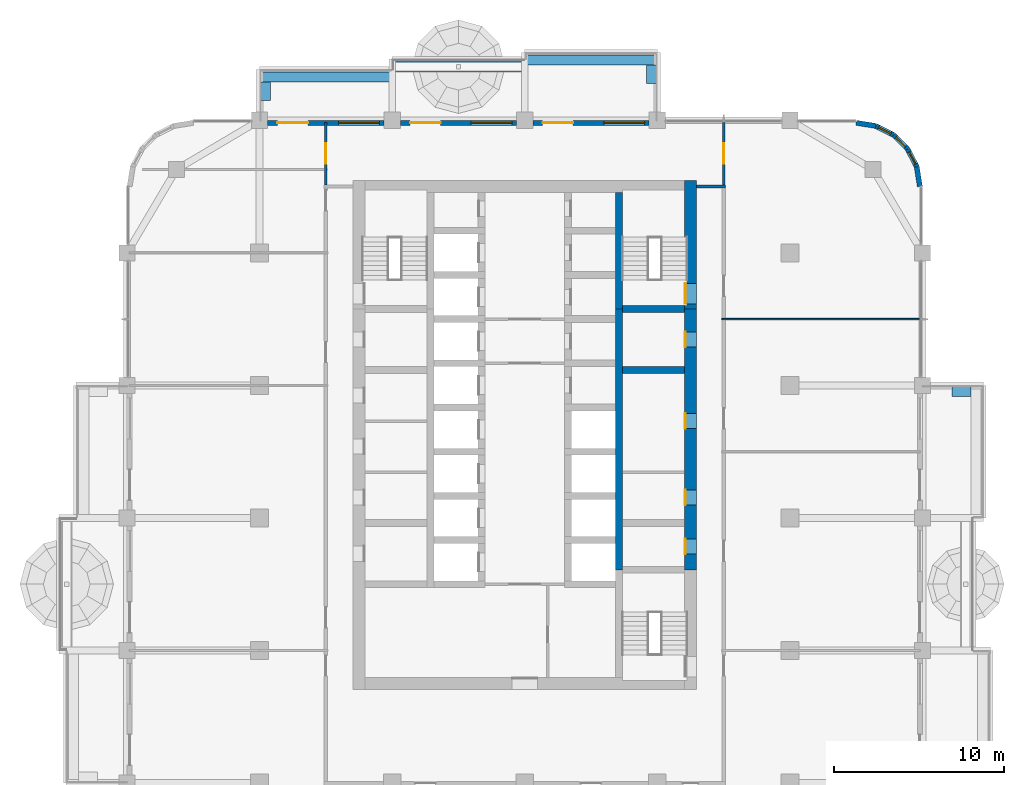
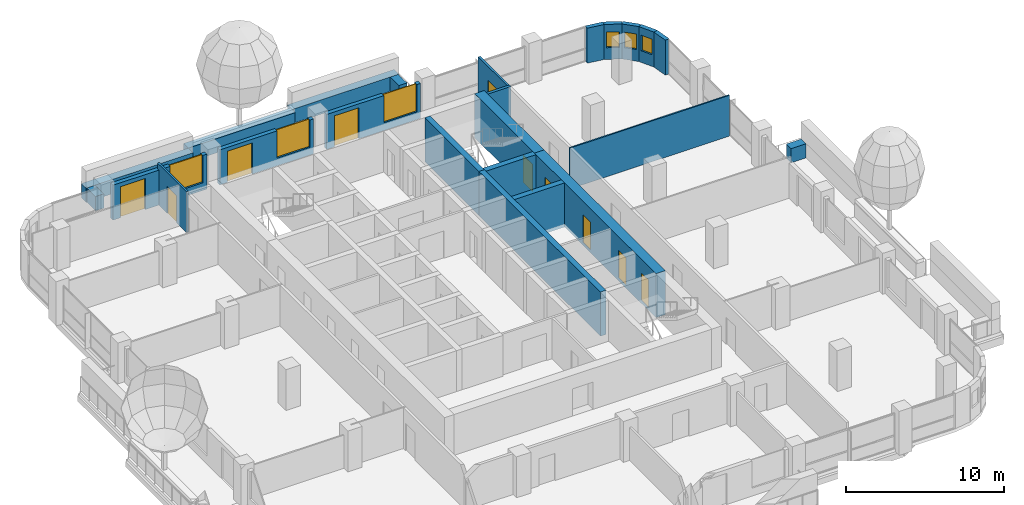
# One storey, part 14 of 21: 24 walls, 10 doors, 6 windows, 16 openings.
"""IFC4 building model written with IfcOpenShell, lengths in metres."""

from ifc_helpers import new_model, si_unit, direction, frame, frame_2d, origin, place, context, subcontext, project, spatial, rectangle, extrude, material, layer, layer_set, type_object, element, fill, save


model = new_model("IFC4")

# Units and contexts
model_context = context("Model", 3, precision=1e-05, world=origin(), true_north=direction((0.0, 1.0)))
body_context = subcontext(model_context, "Body", "Model", "MODEL_VIEW")
ifc_project = project(units=[si_unit("LENGTHUNIT", "METRE"), si_unit("AREAUNIT", "SQUARE_METRE"), si_unit("VOLUMEUNIT", "CUBIC_METRE"), si_unit("PLANEANGLEUNIT", "RADIAN"), si_unit("MASSUNIT", "GRAM", prefix="KILO")], contexts=[model_context])

# Site, building, storey
site_placement = place(None, origin())
site = spatial("IfcSite", under=ifc_project, at=site_placement, CompositionType="ELEMENT")
building_placement = place(site_placement, origin())
building = spatial("IfcBuilding", under=site, at=building_placement, Name="Ludao Terraces", CompositionType="ELEMENT")
storey_placement = place(building_placement, frame((0.0, 0.0, 71.60009765625)))
storey = spatial("IfcBuildingStorey", under=building, at=storey_placement, Name="L19", CompositionType="ELEMENT", Elevation=71.60009765625)

# Wall, openings, doors
ifc_material_1 = material(Name="Concrete C70", Category="concrete")
ifc_layer_1 = layer(ifc_material_1, 0.699951171875)
ifc_layer_set_1 = layer_set([ifc_layer_1], Name="Core wall 700 C70")
wall_type_1 = type_object("IfcWallType", Name="Core wall 700 C70", PredefinedType="SOLIDWALL", material=ifc_layer_set_1)
wall_1_placement = place(storey_placement, frame((94.75, 61.949951171875, -0.25), z_axis=(0.0, 0.0, 1.0), x_axis=(0.0, 1.0, 0.0)))
wall_1 = element("IfcWall", 1, at=wall_1_placement, inside=storey, type_object=wall_type_1, Name="Core wall L19 outer-E", PredefinedType="SOLIDWALL", context=body_context, shape_type="SweptSolid", body=[
    extrude(rectangle(XDim=15.35009765625, YDim=0.699951171875, at=frame_2d((7.675048828125, 0.0))), origin(), (0.0, 0.0, 1.0), 3.39990234375),
])
opening_1_placement = place(wall_1_placement, frame((0.925048828125, 0.0, 0.25)))
opening_1 = element("IfcOpeningElement", 2, at=opening_1_placement, cuts=wall_1, Name="Opening C1-014", PredefinedType="OPENING", context=body_context, shape_type="SweptSolid", body=[
    extrude(rectangle(XDim=0.89990234375, YDim=2.10009765625, at=frame_2d((0.449951171875, 1.050048828125))), frame((0.0, 0.35986328125, 0.0), z_axis=(0.0, -1.0, 0.0), x_axis=(1.0, 0.0, 0.0)), (0.0, 0.0, 1.0), 0.719970703125),
])
opening_2_placement = place(wall_1_placement, frame((3.800048828125, 0.0, 0.25)))
opening_2 = element("IfcOpeningElement", 3, at=opening_2_placement, cuts=wall_1, Name="Opening C1-017", PredefinedType="OPENING", context=body_context, shape_type="SweptSolid", body=[
    extrude(rectangle(XDim=0.89990234375, YDim=2.10009765625, at=frame_2d((0.449951171875, 1.050048828125))), frame((0.0, 0.35986328125, 0.0), z_axis=(0.0, -1.0, 0.0), x_axis=(1.0, 0.0, 0.0)), (0.0, 0.0, 1.0), 0.719970703125),
])
opening_3_placement = place(wall_1_placement, frame((8.300048828125, 0.0, 0.25)))
opening_3 = element("IfcOpeningElement", 4, at=opening_3_placement, cuts=wall_1, Name="Opening C1-021", PredefinedType="OPENING", context=body_context, shape_type="SweptSolid", body=[
    extrude(rectangle(XDim=0.89990234375, YDim=2.10009765625, at=frame_2d((0.449951171875, 1.050048828125))), frame((0.0, 0.35986328125, 0.0), z_axis=(0.0, -1.0, 0.0), x_axis=(1.0, 0.0, 0.0)), (0.0, 0.0, 1.0), 0.719970703125),
])
opening_4_placement = place(wall_1_placement, frame((13.10009765625, 0.0, 0.25)))
opening_4 = element("IfcOpeningElement", 5, at=opening_4_placement, cuts=wall_1, Name="Opening C1-031", PredefinedType="OPENING", context=body_context, shape_type="SweptSolid", body=[
    extrude(rectangle(XDim=0.89990234375, YDim=2.10009765625, at=frame_2d((0.449951171875, 1.050048828125))), frame((0.0, 0.35986328125, 0.0), z_axis=(0.0, -1.0, 0.0), x_axis=(1.0, 0.0, 0.0)), (0.0, 0.0, 1.0), 0.719970703125),
])
ifc_material_2 = material(Name="Steel Q235", Category="steel")
door_type_1 = type_object("IfcDoorType", Name="INT Riser door 900", OperationType="SINGLE_SWING_LEFT", PredefinedType="DOOR", material=ifc_material_2)
door_1_placement = place(opening_1_placement, origin())
door_1 = element("IfcDoor", 6, at=door_1_placement, inside=storey, type_object=door_type_1, Name="DOOR 014", OperationType="SINGLE_SWING_RIGHT", OverallHeight=2.10009765625, OverallWidth=0.89990234375, PredefinedType="DOOR", context=body_context, shape_type="SweptSolid", body=[
    extrude(rectangle(XDim=0.89990234375, YDim=2.10009765625, at=frame_2d((0.449951171875, 1.050048828125))), frame((0.0, 0.3349609375, 0.0), z_axis=(0.0, -1.0, 0.0), x_axis=(1.0, 0.0, 0.0)), (0.0, 0.0, 1.0), 0.050048828125),
])
fill(opening_1, door_1)
door_2_placement = place(opening_4_placement, origin())
door_2 = element("IfcDoor", 7, at=door_2_placement, inside=storey, type_object=door_type_1, Name="DOOR 031", OperationType="SINGLE_SWING_LEFT", OverallHeight=2.10009765625, OverallWidth=0.89990234375, PredefinedType="DOOR", context=body_context, shape_type="SweptSolid", body=[
    extrude(rectangle(XDim=0.89990234375, YDim=2.10009765625, at=frame_2d((0.449951171875, 1.050048828125))), frame((0.0, 0.3349609375, 0.0), z_axis=(0.0, -1.0, 0.0), x_axis=(1.0, 0.0, 0.0)), (0.0, 0.0, 1.0), 0.050048828125),
])
fill(opening_4, door_2)
ifc_material_3 = material(Name="Timber door leaf", Category="wood")
door_type_2 = type_object("IfcDoorType", Name="INT Room door 900", OperationType="SINGLE_SWING_LEFT", PredefinedType="DOOR", material=ifc_material_3)
door_3_placement = place(opening_2_placement, origin())
door_3 = element("IfcDoor", 8, at=door_3_placement, inside=storey, type_object=door_type_2, Name="DOOR 017", OperationType="SINGLE_SWING_LEFT", OverallHeight=2.10009765625, OverallWidth=0.89990234375, PredefinedType="DOOR", context=body_context, shape_type="SweptSolid", body=[
    extrude(rectangle(XDim=0.89990234375, YDim=2.10009765625, at=frame_2d((0.449951171875, 1.050048828125))), frame((0.0, 0.3349609375, 0.0), z_axis=(0.0, -1.0, 0.0), x_axis=(1.0, 0.0, 0.0)), (0.0, 0.0, 1.0), 0.050048828125),
])
fill(opening_2, door_3)
door_4_placement = place(opening_3_placement, origin())
door_4 = element("IfcDoor", 9, at=door_4_placement, inside=storey, type_object=door_type_2, Name="DOOR 021", OperationType="SINGLE_SWING_RIGHT", OverallHeight=2.10009765625, OverallWidth=0.89990234375, PredefinedType="DOOR", context=body_context, shape_type="SweptSolid", body=[
    extrude(rectangle(XDim=0.89990234375, YDim=2.10009765625, at=frame_2d((0.449951171875, 1.050048828125))), frame((0.0, 0.3349609375, 0.0), z_axis=(0.0, -1.0, 0.0), x_axis=(1.0, 0.0, 0.0)), (0.0, 0.0, 1.0), 0.050048828125),
])
fill(opening_3, door_4)

# Wall, opening, door
wall_2_placement = place(storey_placement, frame((94.75, 77.300048828125, -0.25), z_axis=(0.0, 0.0, 1.0), x_axis=(0.0, 1.0, 0.0)))
wall_2 = element("IfcWall", 10, at=wall_2_placement, inside=storey, type_object=wall_type_1, Name="Core wall L19 outer-E-S2", PredefinedType="SOLIDWALL", context=body_context, shape_type="SweptSolid", body=[
    extrude(rectangle(XDim=7.550048828125, YDim=0.699951171875, at=frame_2d((3.77490234375, 0.0))), origin(), (0.0, 0.0, 1.0), 3.39990234375),
])
opening_5_placement = place(wall_2_placement, frame((0.300048828125, 0.0, 0.25)))
opening_5 = element("IfcOpeningElement", 11, at=opening_5_placement, cuts=wall_2, Name="Opening C1-036", PredefinedType="OPENING", context=body_context, shape_type="SweptSolid", body=[
    extrude(rectangle(XDim=1.199951171875, YDim=2.10009765625, at=frame_2d((0.60009765625, 1.050048828125))), frame((0.0, 0.35986328125, 0.0), z_axis=(0.0, -1.0, 0.0), x_axis=(1.0, 0.0, 0.0)), (0.0, 0.0, 1.0), 0.719970703125),
])
door_type_3 = type_object("IfcDoorType", Name="INT Stair door 1200", OperationType="DOUBLE_DOOR_SINGLE_SWING", PredefinedType="DOOR", material=ifc_material_2)
door_5_placement = place(opening_5_placement, origin())
door_5 = element("IfcDoor", 12, at=door_5_placement, inside=storey, type_object=door_type_3, Name="DOOR 036", OperationType="DOUBLE_DOOR_SINGLE_SWING", OverallHeight=2.10009765625, OverallWidth=1.199951171875, PredefinedType="DOOR", context=body_context, shape_type="SweptSolid", body=[
    extrude(rectangle(XDim=1.199951171875, YDim=2.10009765625, at=frame_2d((0.60009765625, 1.050048828125))), frame((0.0, 0.3349609375, 0.0), z_axis=(0.0, -1.0, 0.0), x_axis=(1.0, 0.0, 0.0)), (0.0, 0.0, 1.0), 0.050048828125),
])
fill(opening_5, door_5)

# Walls
ifc_material_4 = material(Name="Concrete C40", Category="concrete")
ifc_layer_2 = layer(ifc_material_4, 0.60009765625)
ifc_layer_set_2 = layer_set([ifc_layer_2], Name="ENV Planter trough 600")
wall_type_2 = type_object("IfcWallType", Name="ENV Planter trough 600", PredefinedType="USERDEFINED", material=ifc_layer_set_2)
wall_3_placement = place(storey_placement, frame((111.25, 72.449951171875, 0.0), z_axis=(0.0, 0.0, 1.0), x_axis=(-1.0, 0.0, 0.0)))
element("IfcWall", 13, at=wall_3_placement, inside=storey, type_object=wall_type_2, Name="PL-L19-E3-SB", ObjectType="PLANTER", PredefinedType="USERDEFINED", context=body_context, shape_type="SweptSolid", body=[
    extrude(rectangle(XDim=1.10009765625, YDim=0.60009765625, at=frame_2d((0.550048828125, 0.0))), origin(), (0.0, 0.0, 1.0), 1.099853515625),
])
wall_4_placement = place(storey_placement, frame((69.39990234375, 90.949951171875, 0.0), z_axis=(0.0, 0.0, 1.0), x_axis=(1.0, 0.0, 0.0)))
element("IfcWall", 14, at=wall_4_placement, inside=storey, type_object=wall_type_2, Name="PL-L19-N1", ObjectType="PLANTER", PredefinedType="USERDEFINED", context=body_context, shape_type="SweptSolid", body=[
    extrude(rectangle(XDim=7.800048828125, YDim=0.60009765625, at=frame_2d((3.89990234375, 0.0))), origin(), (0.0, 0.0, 1.0), 1.099853515625),
])
wall_5_placement = place(storey_placement, frame((69.75, 90.64990234375, 0.0), z_axis=(0.0, 0.0, 1.0), x_axis=(0.0, -1.0, 0.0)))
element("IfcWall", 15, at=wall_5_placement, inside=storey, type_object=wall_type_2, Name="PL-L19-N1-SA", ObjectType="PLANTER", PredefinedType="USERDEFINED", context=body_context, shape_type="SweptSolid", body=[
    extrude(rectangle(XDim=1.099853515625, YDim=0.60009765625, at=frame_2d((0.5498046875, 0.0))), origin(), (0.0, 0.0, 1.0), 1.099853515625),
])
for number, where, z_axis, x_axis, name in (
    (16, (77.199951171875, 91.550048828125, 0.0), (0.0, 0.0, 1.0), (1.0, 0.0, 0.0), "PL-L19-N2"),
    (17, (85.0, 91.949951171875, 0.0), (0.0, 0.0, 1.0), (1.0, 0.0, 0.0), "PL-L19-N3"),
):
    element("IfcWall", number, at=place(storey_placement, frame(where, z_axis=z_axis, x_axis=x_axis)), inside=storey, type_object=wall_type_2, Name=name, ObjectType="PLANTER", PredefinedType="USERDEFINED", context=body_context, shape_type="SweptSolid", body=[
        extrude(rectangle(XDim=7.800048828125, YDim=0.60009765625, at=frame_2d((3.89990234375, 0.0))), origin(), (0.0, 0.0, 1.0), 1.099853515625),
    ])
wall_6_placement = place(storey_placement, frame((92.449951171875, 91.64990234375, 0.0), z_axis=(0.0, 0.0, 1.0), x_axis=(0.0, -1.0, 0.0)))
element("IfcWall", 18, at=wall_6_placement, inside=storey, type_object=wall_type_2, Name="PL-L19-N3-SB", ObjectType="PLANTER", PredefinedType="USERDEFINED", context=body_context, shape_type="SweptSolid", body=[
    extrude(rectangle(XDim=1.099853515625, YDim=0.60009765625, at=frame_2d((0.5498046875, 0.0))), origin(), (0.0, 0.0, 1.0), 1.099853515625),
])

# Wall, openings, door, window
ifc_material_5 = material(Name="Granite cladding", Category="masonry")
ifc_layer_3 = layer(ifc_material_5, 0.0400390625, Category="stone")
ifc_material_6 = material(Name="Mineral wool")
ifc_layer_4 = layer(ifc_material_6, 0.06005859375)
ifc_layer_5 = layer(ifc_material_4, 0.199951171875, Category="concrete")
ifc_layer_set_3 = layer_set([ifc_layer_3, ifc_layer_4, ifc_layer_5], Name="ENV Stone-clad wall 300")
wall_type_3 = type_object("IfcWallType", Name="ENV Stone-clad wall 300", PredefinedType="SOLIDWALL", material=ifc_layer_set_3)
wall_7_placement = place(storey_placement, frame((69.875, 88.25, 0.0), z_axis=(0.0, 0.0, 1.0), x_axis=(1.0, 0.0, 0.0)))
wall_7 = element("IfcWall", 19, at=wall_7_placement, inside=storey, type_object=wall_type_3, Name="EW-L19-N2", PredefinedType="SOLIDWALL", context=body_context, shape_type="SweptSolid", body=[
    extrude(rectangle(XDim=6.85009765625, YDim=0.300048828125, at=frame_2d((3.425048828125, 0.0))), origin(), (0.0, 0.0, 1.0), 2.699951171875),
])
opening_6_placement = place(wall_7_placement, frame((0.574951171875, 0.0, 0.0)))
opening_6 = element("IfcOpeningElement", 20, at=opening_6_placement, cuts=wall_7, Name="Opening BD", PredefinedType="OPENING", context=body_context, shape_type="SweptSolid", body=[
    extrude(rectangle(XDim=1.800048828125, YDim=2.39990234375, at=frame_2d((0.89990234375, 1.199951171875))), frame((0.0, 0.16015625, 0.0), z_axis=(0.0, -1.0, 0.0), x_axis=(1.0, 0.0, 0.0)), (0.0, 0.0, 1.0), 0.320068359375),
])
opening_7_placement = place(wall_7_placement, frame((4.175048828125, 0.0, 0.60009765625)))
opening_7 = element("IfcOpeningElement", 21, at=opening_7_placement, cuts=wall_7, Name="Opening W4", PredefinedType="OPENING", context=body_context, shape_type="SweptSolid", body=[
    extrude(rectangle(XDim=2.39990234375, YDim=2.10009765625, at=frame_2d((1.199951171875, 1.050048828125))), frame((0.0, 0.16015625, 0.0), z_axis=(0.0, -1.0, 0.0), x_axis=(1.0, 0.0, 0.0)), (0.0, 0.0, 1.0), 0.320068359375),
])
ifc_material_7 = material(Name="Aluminium glazed door", Category="aluminium")
ifc_layer_6 = layer(ifc_material_7, 0.06005859375)
ifc_layer_set_4 = layer_set([ifc_layer_6], Name="ENV Balcony door BD 1800x2400")
door_type_4 = type_object("IfcDoorType", Name="ENV Balcony door BD 1800x2400", OperationType="DOUBLE_DOOR_SINGLE_SWING", PredefinedType="DOOR", material=ifc_layer_set_4)
door_6_placement = place(opening_6_placement, origin())
door_6 = element("IfcDoor", 22, at=door_6_placement, inside=storey, type_object=door_type_4, Name="BD-L19-N2-1", OperationType="DOUBLE_DOOR_SINGLE_SWING", OverallHeight=2.39990234375, OverallWidth=1.800048828125, PredefinedType="DOOR", context=body_context, shape_type="SweptSolid", body=[
    extrude(rectangle(XDim=1.800048828125, YDim=2.39990234375, at=frame_2d((0.89990234375, 1.199951171875))), frame((0.0, 0.02490234375, 0.0), z_axis=(0.0, -1.0, 0.0), x_axis=(1.0, 0.0, 0.0)), (0.0, 0.0, 1.0), 0.050048828125),
])
fill(opening_6, door_6)
ifc_material_8 = material(Name="Clear glass in aluminium frame", Category="aluminium")
ifc_layer_7 = layer(ifc_material_8, 0.06005859375)
ifc_layer_set_5 = layer_set([ifc_layer_7], Name="ENV Window W4 2400x2100")
window_type_1 = type_object("IfcWindowType", Name="ENV Window W4 2400x2100", PartitioningType="SINGLE_PANEL", PredefinedType="WINDOW", material=ifc_layer_set_5)
window_1_placement = place(opening_7_placement, origin())
window_1 = element("IfcWindow", 23, at=window_1_placement, inside=storey, type_object=window_type_1, Name="W-L19-N2-2", OverallHeight=2.10009765625, OverallWidth=2.39990234375, PartitioningType="SINGLE_PANEL", PredefinedType="WINDOW", context=body_context, shape_type="SweptSolid", body=[
    extrude(rectangle(XDim=2.39990234375, YDim=2.10009765625, at=frame_2d((1.199951171875, 1.050048828125))), frame((0.0, 0.030029296875, 0.0), z_axis=(0.0, -1.0, 0.0), x_axis=(1.0, 0.0, 0.0)), (0.0, 0.0, 1.0), 0.06005859375),
])
fill(opening_7, window_1)

wall_8_placement = place(storey_placement, frame((77.675048828125, 88.25, 0.0), z_axis=(0.0, 0.0, 1.0), x_axis=(1.0, 0.0, 0.0)))
wall_8 = element("IfcWall", 24, at=wall_8_placement, inside=storey, type_object=wall_type_3, Name="EW-L19-N3", PredefinedType="SOLIDWALL", context=body_context, shape_type="SweptSolid", body=[
    extrude(rectangle(XDim=6.849853515625, YDim=0.300048828125, at=frame_2d((3.4248046875, 0.0))), origin(), (0.0, 0.0, 1.0), 2.699951171875),
])
opening_8_placement = place(wall_8_placement, frame((0.574951171875, 0.0, 0.0)))
opening_8 = element("IfcOpeningElement", 25, at=opening_8_placement, cuts=wall_8, Name="Opening BD", PredefinedType="OPENING", context=body_context, shape_type="SweptSolid", body=[
    extrude(rectangle(XDim=1.800048828125, YDim=2.39990234375, at=frame_2d((0.89990234375, 1.199951171875))), frame((0.0, 0.16015625, 0.0), z_axis=(0.0, -1.0, 0.0), x_axis=(1.0, 0.0, 0.0)), (0.0, 0.0, 1.0), 0.320068359375),
])
opening_9_placement = place(wall_8_placement, frame((4.175048828125, 0.0, 0.60009765625)))
opening_9 = element("IfcOpeningElement", 26, at=opening_9_placement, cuts=wall_8, Name="Opening W4", PredefinedType="OPENING", context=body_context, shape_type="SweptSolid", body=[
    extrude(rectangle(XDim=2.39990234375, YDim=2.10009765625, at=frame_2d((1.199951171875, 1.050048828125))), frame((0.0, 0.16015625, 0.0), z_axis=(0.0, -1.0, 0.0), x_axis=(1.0, 0.0, 0.0)), (0.0, 0.0, 1.0), 0.320068359375),
])
door_7_placement = place(opening_8_placement, origin())
door_7 = element("IfcDoor", 27, at=door_7_placement, inside=storey, type_object=door_type_4, Name="BD-L19-N3-1", OperationType="DOUBLE_DOOR_SINGLE_SWING", OverallHeight=2.39990234375, OverallWidth=1.800048828125, PredefinedType="DOOR", context=body_context, shape_type="SweptSolid", body=[
    extrude(rectangle(XDim=1.800048828125, YDim=2.39990234375, at=frame_2d((0.89990234375, 1.199951171875))), frame((0.0, 0.02490234375, 0.0), z_axis=(0.0, -1.0, 0.0), x_axis=(1.0, 0.0, 0.0)), (0.0, 0.0, 1.0), 0.050048828125),
])
fill(opening_8, door_7)
window_2_placement = place(opening_9_placement, origin())
window_2 = element("IfcWindow", 28, at=window_2_placement, inside=storey, type_object=window_type_1, Name="W-L19-N3-2", OverallHeight=2.10009765625, OverallWidth=2.39990234375, PartitioningType="SINGLE_PANEL", PredefinedType="WINDOW", context=body_context, shape_type="SweptSolid", body=[
    extrude(rectangle(XDim=2.39990234375, YDim=2.10009765625, at=frame_2d((1.199951171875, 1.050048828125))), frame((0.0, 0.030029296875, 0.0), z_axis=(0.0, -1.0, 0.0), x_axis=(1.0, 0.0, 0.0)), (0.0, 0.0, 1.0), 0.06005859375),
])
fill(opening_9, window_2)

wall_9_placement = place(storey_placement, frame((85.47509765625, 88.25, 0.0), z_axis=(0.0, 0.0, 1.0), x_axis=(1.0, 0.0, 0.0)))
wall_9 = element("IfcWall", 29, at=wall_9_placement, inside=storey, type_object=wall_type_3, Name="EW-L19-N4", PredefinedType="SOLIDWALL", context=body_context, shape_type="SweptSolid", body=[
    extrude(rectangle(XDim=6.849853515625, YDim=0.300048828125, at=frame_2d((3.4248046875, 0.0))), origin(), (0.0, 0.0, 1.0), 2.699951171875),
])
opening_10_placement = place(wall_9_placement, frame((0.574951171875, 0.0, 0.0)))
opening_10 = element("IfcOpeningElement", 30, at=opening_10_placement, cuts=wall_9, Name="Opening BD", PredefinedType="OPENING", context=body_context, shape_type="SweptSolid", body=[
    extrude(rectangle(XDim=1.800048828125, YDim=2.39990234375, at=frame_2d((0.89990234375, 1.199951171875))), frame((0.0, 0.16015625, 0.0), z_axis=(0.0, -1.0, 0.0), x_axis=(1.0, 0.0, 0.0)), (0.0, 0.0, 1.0), 0.320068359375),
])
opening_11_placement = place(wall_9_placement, frame((4.175048828125, 0.0, 0.60009765625)))
opening_11 = element("IfcOpeningElement", 31, at=opening_11_placement, cuts=wall_9, Name="Opening W4", PredefinedType="OPENING", context=body_context, shape_type="SweptSolid", body=[
    extrude(rectangle(XDim=2.39990234375, YDim=2.10009765625, at=frame_2d((1.199951171875, 1.050048828125))), frame((0.0, 0.16015625, 0.0), z_axis=(0.0, -1.0, 0.0), x_axis=(1.0, 0.0, 0.0)), (0.0, 0.0, 1.0), 0.320068359375),
])
door_8_placement = place(opening_10_placement, origin())
door_8 = element("IfcDoor", 32, at=door_8_placement, inside=storey, type_object=door_type_4, Name="BD-L19-N4-1", OperationType="DOUBLE_DOOR_SINGLE_SWING", OverallHeight=2.39990234375, OverallWidth=1.800048828125, PredefinedType="DOOR", context=body_context, shape_type="SweptSolid", body=[
    extrude(rectangle(XDim=1.800048828125, YDim=2.39990234375, at=frame_2d((0.89990234375, 1.199951171875))), frame((0.0, 0.02490234375, 0.0), z_axis=(0.0, -1.0, 0.0), x_axis=(1.0, 0.0, 0.0)), (0.0, 0.0, 1.0), 0.050048828125),
])
fill(opening_10, door_8)
window_3_placement = place(opening_11_placement, origin())
window_3 = element("IfcWindow", 33, at=window_3_placement, inside=storey, type_object=window_type_1, Name="W-L19-N4-2", OverallHeight=2.10009765625, OverallWidth=2.39990234375, PartitioningType="SINGLE_PANEL", PredefinedType="WINDOW", context=body_context, shape_type="SweptSolid", body=[
    extrude(rectangle(XDim=2.39990234375, YDim=2.10009765625, at=frame_2d((1.199951171875, 1.050048828125))), frame((0.0, 0.030029296875, 0.0), z_axis=(0.0, -1.0, 0.0), x_axis=(1.0, 0.0, 0.0)), (0.0, 0.0, 1.0), 0.06005859375),
])
fill(opening_11, window_3)

# Wall
wall_10_placement = place(storey_placement, frame((108.25, 84.5, 0.0), z_axis=(0.0, 0.0, 1.0), x_axis=(-0.156496880861, 0.987678452879, 0.0)))
element("IfcWall", 34, at=wall_10_placement, inside=storey, type_object=wall_type_3, Name="EW-L19-NE1", PredefinedType="SOLIDWALL", context=body_context, shape_type="SweptSolid", body=[
    extrude(rectangle(XDim=1.173095703125, YDim=0.300048828125, at=frame_2d((0.58642578125, 0.0))), origin(), (0.0, 0.0, 1.0), 2.699951171875),
])

# Wall, opening, window
wall_11_placement = place(storey_placement, frame((108.06640625, 85.65869140625, 0.0), z_axis=(0.0, 0.0, 1.0), x_axis=(-0.454025524128, 0.890988677504, 0.0)))
wall_11 = element("IfcWall", 35, at=wall_11_placement, inside=storey, type_object=wall_type_3, Name="EW-L19-NE2", PredefinedType="SOLIDWALL", context=body_context, shape_type="SweptSolid", body=[
    extrude(rectangle(XDim=1.17333984375, YDim=0.300048828125, at=frame_2d((0.586669921875, 0.0))), origin(), (0.0, 0.0, 1.0), 2.699951171875),
])
opening_12_placement = place(wall_11_placement, frame((0.1865234375, 0.0, 0.89990234375)))
opening_12 = element("IfcOpeningElement", 36, at=opening_12_placement, cuts=wall_11, Name="Opening W3", PredefinedType="OPENING", context=body_context, shape_type="SweptSolid", body=[
    extrude(rectangle(XDim=0.800048828125, YDim=1.199951171875, at=frame_2d((0.39990234375, 0.60009765625))), frame((0.0, 0.16015625, 0.0), z_axis=(0.0, -1.0, 0.0), x_axis=(1.0, 0.0, 0.0)), (0.0, 0.0, 1.0), 0.320068359375),
])
ifc_layer_8 = layer(ifc_material_8, 0.06005859375)
ifc_layer_set_6 = layer_set([ifc_layer_8], Name="ENV Window W3 800x1200")
window_type_2 = type_object("IfcWindowType", Name="ENV Window W3 800x1200", PartitioningType="SINGLE_PANEL", PredefinedType="WINDOW", material=ifc_layer_set_6)
window_4_placement = place(opening_12_placement, origin())
window_4 = element("IfcWindow", 37, at=window_4_placement, inside=storey, type_object=window_type_2, Name="W-L19-NE2", OverallHeight=1.199951171875, OverallWidth=0.800048828125, PartitioningType="SINGLE_PANEL", PredefinedType="WINDOW", context=body_context, shape_type="SweptSolid", body=[
    extrude(rectangle(XDim=0.800048828125, YDim=1.199951171875, at=frame_2d((0.39990234375, 0.60009765625))), frame((0.0, 0.030029296875, 0.0), z_axis=(0.0, -1.0, 0.0), x_axis=(1.0, 0.0, 0.0)), (0.0, 0.0, 1.0), 0.06005859375),
])
fill(opening_12, window_4)

wall_12_placement = place(storey_placement, frame((107.53369140625, 86.7041015625, 0.0), z_axis=(0.0, 0.0, 1.0), x_axis=(-0.707106781187, 0.707106781187, 0.0)))
wall_12 = element("IfcWall", 38, at=wall_12_placement, inside=storey, type_object=wall_type_3, Name="EW-L19-NE3", PredefinedType="SOLIDWALL", context=body_context, shape_type="SweptSolid", body=[
    extrude(rectangle(XDim=1.173095703125, YDim=0.300048828125, at=frame_2d((0.58642578125, 0.0))), origin(), (0.0, 0.0, 1.0), 2.699951171875),
])
opening_13_placement = place(wall_12_placement, frame((0.1865234375, 0.0, 0.89990234375)))
opening_13 = element("IfcOpeningElement", 39, at=opening_13_placement, cuts=wall_12, Name="Opening W3", PredefinedType="OPENING", context=body_context, shape_type="SweptSolid", body=[
    extrude(rectangle(XDim=0.800048828125, YDim=1.199951171875, at=frame_2d((0.39990234375, 0.60009765625))), frame((0.0, 0.16015625, 0.0), z_axis=(0.0, -1.0, 0.0), x_axis=(1.0, 0.0, 0.0)), (0.0, 0.0, 1.0), 0.320068359375),
])
window_5_placement = place(opening_13_placement, origin())
window_5 = element("IfcWindow", 40, at=window_5_placement, inside=storey, type_object=window_type_2, Name="W-L19-NE3", OverallHeight=1.199951171875, OverallWidth=0.800048828125, PartitioningType="SINGLE_PANEL", PredefinedType="WINDOW", context=body_context, shape_type="SweptSolid", body=[
    extrude(rectangle(XDim=0.800048828125, YDim=1.199951171875, at=frame_2d((0.39990234375, 0.60009765625))), frame((0.0, 0.030029296875, 0.0), z_axis=(0.0, -1.0, 0.0), x_axis=(1.0, 0.0, 0.0)), (0.0, 0.0, 1.0), 0.06005859375),
])
fill(opening_13, window_5)

wall_13_placement = place(storey_placement, frame((106.7041015625, 87.53369140625, 0.0), z_axis=(0.0, 0.0, 1.0), x_axis=(-0.890988677504, 0.454025524128, 0.0)))
wall_13 = element("IfcWall", 41, at=wall_13_placement, inside=storey, type_object=wall_type_3, Name="EW-L19-NE4", PredefinedType="SOLIDWALL", context=body_context, shape_type="SweptSolid", body=[
    extrude(rectangle(XDim=1.17333984375, YDim=0.300048828125, at=frame_2d((0.586669921875, 0.0))), origin(), (0.0, 0.0, 1.0), 2.699951171875),
])
opening_14_placement = place(wall_13_placement, frame((0.1865234375, 0.0, 0.89990234375)))
opening_14 = element("IfcOpeningElement", 42, at=opening_14_placement, cuts=wall_13, Name="Opening W3", PredefinedType="OPENING", context=body_context, shape_type="SweptSolid", body=[
    extrude(rectangle(XDim=0.800048828125, YDim=1.199951171875, at=frame_2d((0.39990234375, 0.60009765625))), frame((0.0, 0.16015625, 0.0), z_axis=(0.0, -1.0, 0.0), x_axis=(1.0, 0.0, 0.0)), (0.0, 0.0, 1.0), 0.320068359375),
])
window_6_placement = place(opening_14_placement, origin())
window_6 = element("IfcWindow", 43, at=window_6_placement, inside=storey, type_object=window_type_2, Name="W-L19-NE4", OverallHeight=1.199951171875, OverallWidth=0.800048828125, PartitioningType="SINGLE_PANEL", PredefinedType="WINDOW", context=body_context, shape_type="SweptSolid", body=[
    extrude(rectangle(XDim=0.800048828125, YDim=1.199951171875, at=frame_2d((0.39990234375, 0.60009765625))), frame((0.0, 0.030029296875, 0.0), z_axis=(0.0, -1.0, 0.0), x_axis=(1.0, 0.0, 0.0)), (0.0, 0.0, 1.0), 0.06005859375),
])
fill(opening_14, window_6)

# Walls
wall_14_placement = place(storey_placement, frame((105.65869140625, 88.06640625, 0.0), z_axis=(0.0, 0.0, 1.0), x_axis=(-0.987678452879, 0.156496880861, 0.0)))
element("IfcWall", 44, at=wall_14_placement, inside=storey, type_object=wall_type_3, Name="EW-L19-NE5", PredefinedType="SOLIDWALL", context=body_context, shape_type="SweptSolid", body=[
    extrude(rectangle(XDim=1.173095703125, YDim=0.300048828125, at=frame_2d((0.58642578125, 0.0))), origin(), (0.0, 0.0, 1.0), 2.699951171875),
])
ifc_material_9 = material(Name="Autoclaved aerated concrete block B06 A3.5", Category="concrete")
ifc_layer_9 = layer(ifc_material_9, 0.199951171875)
ifc_layer_set_7 = layer_set([ifc_layer_9], Name="INT Entrance wall 200")
wall_type_4 = type_object("IfcWallType", Name="INT Entrance wall 200", PredefinedType="PARTITIONING", material=ifc_layer_set_7)
wall_15_placement = place(storey_placement, frame((95.10009765625, 84.5, 0.0), z_axis=(0.0, 0.0, 1.0), x_axis=(1.0, 0.0, 0.0)))
element("IfcWall", 45, at=wall_15_placement, inside=storey, type_object=wall_type_4, Name="PW-L19-PW014", PredefinedType="PARTITIONING", context=body_context, shape_type="SweptSolid", body=[
    extrude(rectangle(XDim=1.699951171875, YDim=0.199951171875, at=frame_2d((0.85009765625, 0.0))), origin(), (0.0, 0.0, 1.0), 3.14990234375),
])
ifc_material_10 = material(Name="Gypsum plasterboard", Category="gypsum")
ifc_layer_10 = layer(ifc_material_10, 0.012451171875, Category="gypsum")
ifc_layer_11 = layer(ifc_material_6, 0.06005859375, Name="insulation")
ifc_layer_12 = layer(ifc_material_2, 0.014892578125, Name="stud")
ifc_layer_13 = layer(ifc_material_10, 0.012451171875, Category="gypsum")
ifc_layer_set_8 = layer_set([ifc_layer_10, ifc_layer_11, ifc_layer_12, ifc_layer_13], Name="INT Partition 100")
wall_type_5 = type_object("IfcWallType", Name="INT Partition 100", PredefinedType="PARTITIONING", material=ifc_layer_set_8)
wall_16_placement = place(storey_placement, frame((96.60009765625, 76.699951171875, 0.0), z_axis=(0.0, 0.0, 1.0), x_axis=(1.0, 0.0, 0.0)))
element("IfcWall", 46, at=wall_16_placement, inside=storey, type_object=wall_type_5, Name="PW-L19-PW011", PredefinedType="PARTITIONING", context=body_context, shape_type="SweptSolid", body=[
    extrude(rectangle(XDim=11.664794921875, YDim=0.10009765625, at=frame_2d((5.83251953125, 0.0))), origin(), (0.0, 0.0, 1.0), 3.14990234375),
])

# Wall, opening, door
ifc_layer_14 = layer(ifc_material_9, 0.14990234375)
ifc_layer_set_9 = layer_set([ifc_layer_14], Name="INT Party wall 150")
wall_type_6 = type_object("IfcWallType", Name="INT Party wall 150", PredefinedType="PARTITIONING", material=ifc_layer_set_9)
wall_17_placement = place(storey_placement, frame((73.300048828125, 84.60009765625, 0.0), z_axis=(0.0, 0.0, 1.0), x_axis=(0.0, 1.0, 0.0)))
wall_17 = element("IfcWall", 47, at=wall_17_placement, inside=storey, type_object=wall_type_6, Name="PW-L19-PW018", PredefinedType="PARTITIONING", context=body_context, shape_type="SweptSolid", body=[
    extrude(rectangle(XDim=3.664794921875, YDim=0.14990234375, at=frame_2d((1.83251953125, 0.0))), origin(), (0.0, 0.0, 1.0), 3.14990234375),
])
opening_15_placement = place(wall_17_placement, frame((1.25, 0.0, 0.0)))
opening_15 = element("IfcOpeningElement", 48, at=opening_15_placement, cuts=wall_17, Name="Opening C1-043", PredefinedType="OPENING", context=body_context, shape_type="SweptSolid", body=[
    extrude(rectangle(XDim=1.199951171875, YDim=2.10009765625, at=frame_2d((0.60009765625, 1.050048828125))), frame((0.0, 0.0849609375, 0.0), z_axis=(0.0, -1.0, 0.0), x_axis=(1.0, 0.0, 0.0)), (0.0, 0.0, 1.0), 0.169921875),
])
door_type_5 = type_object("IfcDoorType", Name="INT Double door 1200", OperationType="DOUBLE_DOOR_SINGLE_SWING", PredefinedType="DOOR", material=ifc_material_3)
door_9_placement = place(opening_15_placement, origin())
door_9 = element("IfcDoor", 49, at=door_9_placement, inside=storey, type_object=door_type_5, Name="DOOR 043", OperationType="DOUBLE_DOOR_SINGLE_SWING", OverallHeight=2.10009765625, OverallWidth=1.199951171875, PredefinedType="DOOR", context=body_context, shape_type="SweptSolid", body=[
    extrude(rectangle(XDim=1.199951171875, YDim=2.10009765625, at=frame_2d((0.60009765625, 1.050048828125))), frame((0.0, 0.02490234375, 0.0), z_axis=(0.0, -1.0, 0.0), x_axis=(1.0, 0.0, 0.0)), (0.0, 0.0, 1.0), 0.050048828125),
])
fill(opening_15, door_9)

wall_18_placement = place(storey_placement, frame((96.699951171875, 84.60009765625, 0.0), z_axis=(0.0, 0.0, 1.0), x_axis=(0.0, 1.0, 0.0)))
wall_18 = element("IfcWall", 50, at=wall_18_placement, inside=storey, type_object=wall_type_6, Name="PW-L19-PW024", PredefinedType="PARTITIONING", context=body_context, shape_type="SweptSolid", body=[
    extrude(rectangle(XDim=3.664794921875, YDim=0.14990234375, at=frame_2d((1.83251953125, 0.0))), origin(), (0.0, 0.0, 1.0), 3.14990234375),
])
opening_16_placement = place(wall_18_placement, frame((1.25, 0.0, 0.0)))
opening_16 = element("IfcOpeningElement", 51, at=opening_16_placement, cuts=wall_18, Name="Opening C1-044", PredefinedType="OPENING", context=body_context, shape_type="SweptSolid", body=[
    extrude(rectangle(XDim=1.199951171875, YDim=2.10009765625, at=frame_2d((0.60009765625, 1.050048828125))), frame((0.0, 0.0849609375, 0.0), z_axis=(0.0, -1.0, 0.0), x_axis=(1.0, 0.0, 0.0)), (0.0, 0.0, 1.0), 0.169921875),
])
door_10_placement = place(opening_16_placement, origin())
door_10 = element("IfcDoor", 52, at=door_10_placement, inside=storey, type_object=door_type_5, Name="DOOR 044", OperationType="DOUBLE_DOOR_SINGLE_SWING", OverallHeight=2.10009765625, OverallWidth=1.199951171875, PredefinedType="DOOR", context=body_context, shape_type="SweptSolid", body=[
    extrude(rectangle(XDim=1.199951171875, YDim=2.10009765625, at=frame_2d((0.60009765625, 1.050048828125))), frame((0.0, 0.02490234375, 0.0), z_axis=(0.0, -1.0, 0.0), x_axis=(1.0, 0.0, 0.0)), (0.0, 0.0, 1.0), 0.050048828125),
])
fill(opening_16, door_10)

# Walls
ifc_material_11 = material(Name="Concrete C60", Category="concrete")
ifc_layer_15 = layer(ifc_material_11, 0.39990234375)
ifc_layer_set_10 = layer_set([ifc_layer_15], Name="Shaft wall 400 C60")
wall_type_7 = type_object("IfcWallType", Name="Shaft wall 400 C60", PredefinedType="SOLIDWALL", material=ifc_layer_set_10)
wall_19_placement = place(storey_placement, frame((90.550048828125, 61.949951171875, -0.25), z_axis=(0.0, 0.0, 1.0), x_axis=(0.0, 1.0, 0.0)))
element("IfcWall", 53, at=wall_19_placement, inside=storey, type_object=wall_type_7, Name="Core wall L19 back-E", PredefinedType="SOLIDWALL", context=body_context, shape_type="SweptSolid", body=[
    extrude(rectangle(XDim=15.35009765625, YDim=0.39990234375, at=frame_2d((7.675048828125, 0.0))), origin(), (0.0, 0.0, 1.0), 3.39990234375),
])
wall_20_placement = place(storey_placement, frame((90.550048828125, 77.300048828125, -0.25), z_axis=(0.0, 0.0, 1.0), x_axis=(0.0, 1.0, 0.0)))
element("IfcWall", 54, at=wall_20_placement, inside=storey, type_object=wall_type_7, Name="Core wall L19 back-E-S2", PredefinedType="SOLIDWALL", context=body_context, shape_type="SweptSolid", body=[
    extrude(rectangle(XDim=6.849853515625, YDim=0.39990234375, at=frame_2d((3.4248046875, 0.0))), origin(), (0.0, 0.0, 1.0), 3.39990234375),
])
for number, where, z_axis, x_axis, name in (
    (55, (90.75, 73.699951171875, -0.25), (0.0, 0.0, 1.0), (1.0, 0.0, 0.0), "Core wall L19 riser-b-E"),
    (56, (90.75, 77.300048828125, -0.25), (0.0, 0.0, 1.0), (1.0, 0.0, 0.0), "Core wall L19 stair-E"),
):
    element("IfcWall", number, at=place(storey_placement, frame(where, z_axis=z_axis, x_axis=x_axis)), inside=storey, type_object=wall_type_7, Name=name, PredefinedType="SOLIDWALL", context=body_context, shape_type="SweptSolid", body=[
        extrude(rectangle(XDim=3.64990234375, YDim=0.39990234375, at=frame_2d((1.824951171875, 0.0))), origin(), (0.0, 0.0, 1.0), 3.39990234375),
    ])

save(model, "model.ifc")
